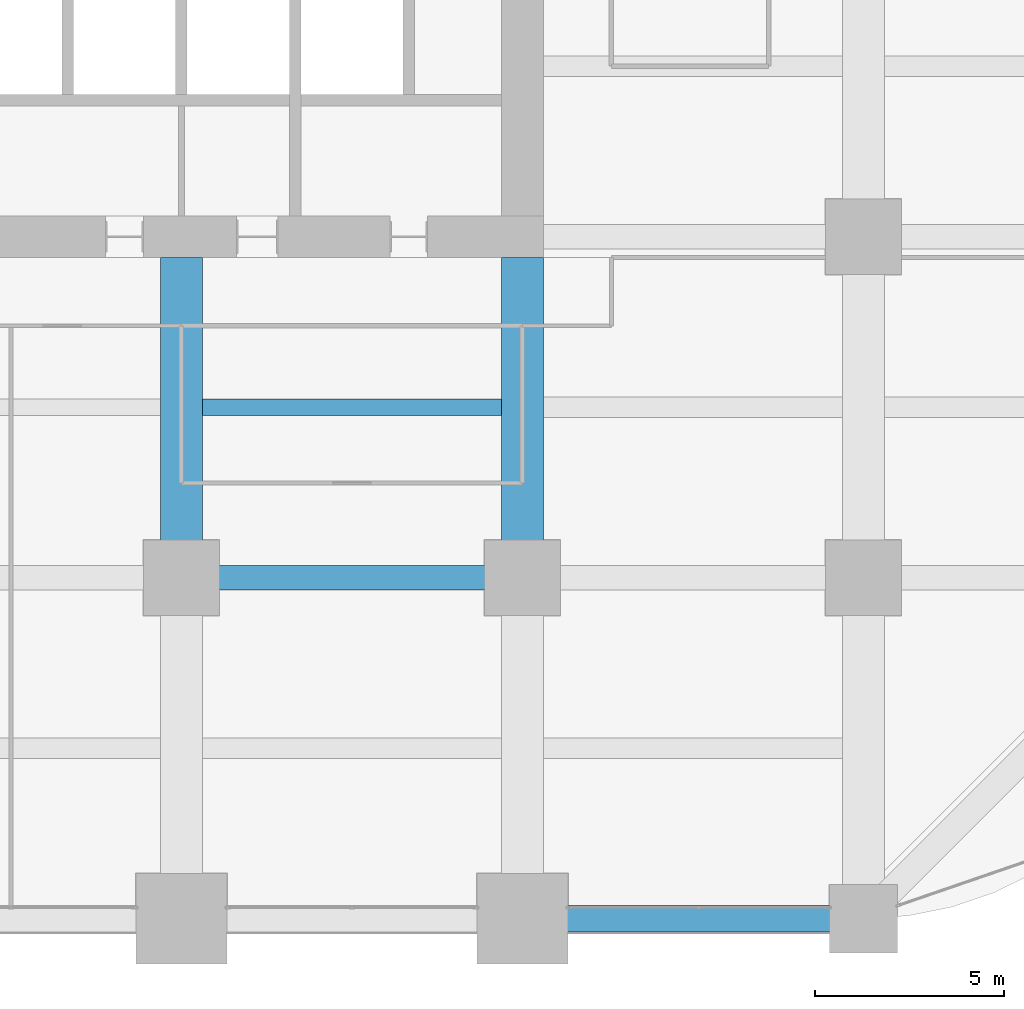
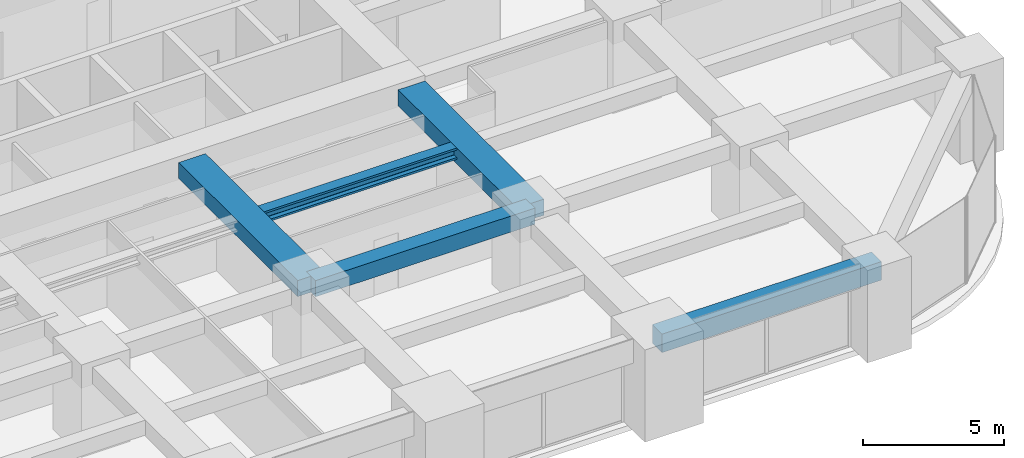
# One storey, part 15 of 40: 5 beams.
"""IFC4 building model written with IfcOpenShell, lengths in metres."""

from ifc_helpers import new_model, si_unit, direction, frame, origin, origin_2d, place, context, subcontext, project, spatial, rectangle, i_section, extrude, material, material_profile, profile_set, type_object, element, save


model = new_model("IFC4")

# Units and contexts
model_context = context("Model", 3, precision=1e-05, world=origin(), true_north=direction((0.0, 1.0)))
body_context = subcontext(model_context, "Body", "Model", "MODEL_VIEW")
ifc_project = project(units=[si_unit("LENGTHUNIT", "METRE"), si_unit("AREAUNIT", "SQUARE_METRE"), si_unit("VOLUMEUNIT", "CUBIC_METRE"), si_unit("PLANEANGLEUNIT", "RADIAN"), si_unit("MASSUNIT", "GRAM", prefix="KILO")], contexts=[model_context])

# Site, building, storey
site_placement = place(None, origin())
site = spatial("IfcSite", under=ifc_project, at=site_placement, CompositionType="ELEMENT")
building_placement = place(site_placement, origin())
building = spatial("IfcBuilding", under=site, at=building_placement, Name="Zorevar Civic Tower", CompositionType="ELEMENT")
storey_placement = place(building_placement, frame((0.0, 0.0, 93.0)))
storey = spatial("IfcBuildingStorey", under=building, at=storey_placement, Name="L22", CompositionType="ELEMENT", Elevation=93.0)

# Beams
ifc_material_1 = material(Name="Concrete C50/60", Category="concrete")
ifc_material_profile_1 = material_profile(ifc_material_1, rectangle(XDim=1.10009765625, YDim=0.699951171875, at=origin_2d()), Name="RC 1100x700")
ifc_profile_set_1 = profile_set([ifc_material_profile_1], Name="Concrete C50/60")
beam_type_1 = type_object("IfcBeamType", Name="Beam RC 1100x700", PredefinedType="BEAM", material=ifc_profile_set_1)
for number, where, z_axis, x_axis, name in (
    (1, (36.0, 9.0, 3.39990234375), (0.0, 1.0, 0.0), (-1.0, 0.0, 0.0), "Girder L23"),
    (2, (45.0, 9.0, 3.39990234375), (0.0, 1.0, 0.0), (-1.0, 0.0, 0.0), "Girder L23"),
):
    element("IfcBeam", number, at=place(storey_placement, frame(where, z_axis=z_axis, x_axis=x_axis)), inside=storey, type_object=beam_type_1, Name=name, PredefinedType="BEAM", context=body_context, shape_type="SweptSolid", body=[
        extrude(rectangle(XDim=1.10009765625, YDim=0.699951171875, at=origin_2d()), origin(), (0.0, 0.0, 1.0), 8.449951171875),
    ])
ifc_material_2 = material(Name="Concrete C50/60", Category="concrete")
ifc_material_profile_2 = material_profile(ifc_material_2, rectangle(XDim=0.64990234375, YDim=0.699951171875, at=origin_2d()), Name="RC 650x700")
ifc_profile_set_2 = profile_set([ifc_material_profile_2], Name="Concrete C50/60")
beam_type_2 = type_object("IfcBeamType", Name="Beam RC 650x700", PredefinedType="BEAM", material=ifc_profile_set_2)
beam_1_placement = place(storey_placement, frame((36.0, 9.0, 3.39990234375), z_axis=(1.0, 0.0, 0.0), x_axis=(0.0, 1.0, 0.0)))
element("IfcBeam", 3, at=beam_1_placement, inside=storey, type_object=beam_type_2, Name="Girder L23", PredefinedType="BEAM", context=body_context, shape_type="SweptSolid", body=[
    extrude(rectangle(XDim=0.64990234375, YDim=0.699951171875, at=origin_2d()), origin(), (0.0, 0.0, 1.0), 9.0),
])
ifc_material_3 = material(Name="Steel S460M (HISTAR 460)", Category="steel")
ifc_material_profile_3 = material_profile(ifc_material_3, i_section(OverallWidth=0.431884765625, OverallDepth=0.498046875, WebThickness=0.0556640625, FlangeThickness=0.0888671875, FilletRadius=0.014892578125, at=origin_2d()), Name="HD 400x744")
ifc_profile_set_3 = profile_set([ifc_material_profile_3], Name="Steel S460M (HISTAR 460)")
beam_type_3 = type_object("IfcBeamType", Name="Core bay beam HD 400x744", PredefinedType="BEAM", material=ifc_profile_set_3)
beam_2_placement = place(storey_placement, frame((36.550048828125, 13.5, 3.5009765625), z_axis=(1.0, 0.0, 0.0), x_axis=(0.0, 1.0, 0.0)))
element("IfcBeam", 4, at=beam_2_placement, inside=storey, type_object=beam_type_3, Name="Secondary beam L23", PredefinedType="BEAM", context=body_context, shape_type="SweptSolid", body=[
    extrude(i_section(OverallWidth=0.431884765625, OverallDepth=0.498046875, WebThickness=0.0556640625, FlangeThickness=0.0888671875, FilletRadius=0.014892578125, at=origin_2d()), origin(), (0.0, 0.0, 1.0), 7.89990234375),
])
ifc_material_4 = material(Name="Concrete C50/60", Category="concrete")
ifc_material_profile_4 = material_profile(ifc_material_4, rectangle(XDim=0.699951171875, YDim=0.800048828125, at=origin_2d()), Name="RC 700x800")
ifc_profile_set_4 = profile_set([ifc_material_profile_4], Name="Concrete C50/60")
beam_type_4 = type_object("IfcBeamType", Name="Edge beam RC 700x800", PredefinedType="SPANDREL", material=ifc_profile_set_4)
beam_3_placement = place(storey_placement, frame((45.0, 0.0, 3.35009765625), z_axis=(1.0, 0.0, 0.0), x_axis=(0.0, 1.0, 0.0)))
element("IfcBeam", 5, at=beam_3_placement, inside=storey, type_object=beam_type_4, Name="Edge beam L23", PredefinedType="SPANDREL", context=body_context, shape_type="SweptSolid", body=[
    extrude(rectangle(XDim=0.699951171875, YDim=0.800048828125, at=origin_2d()), origin(), (0.0, 0.0, 1.0), 9.0),
])

save(model, "model.ifc")
